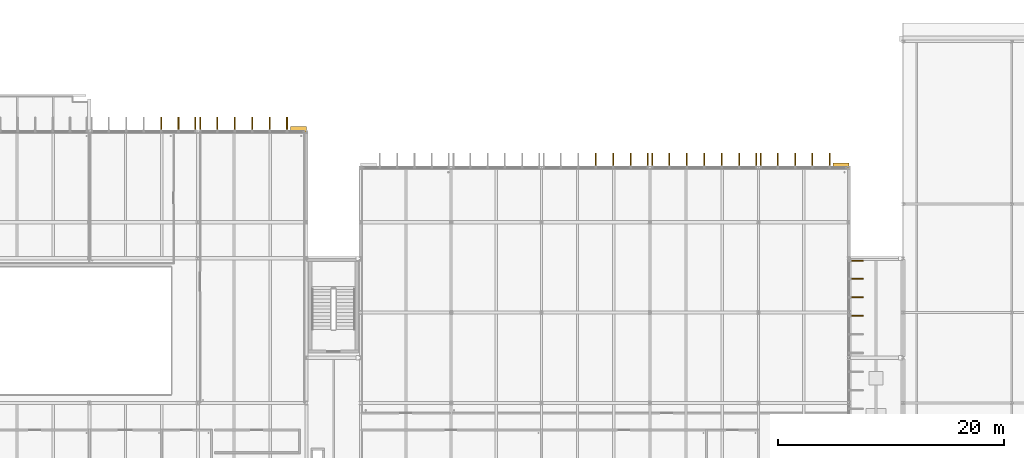
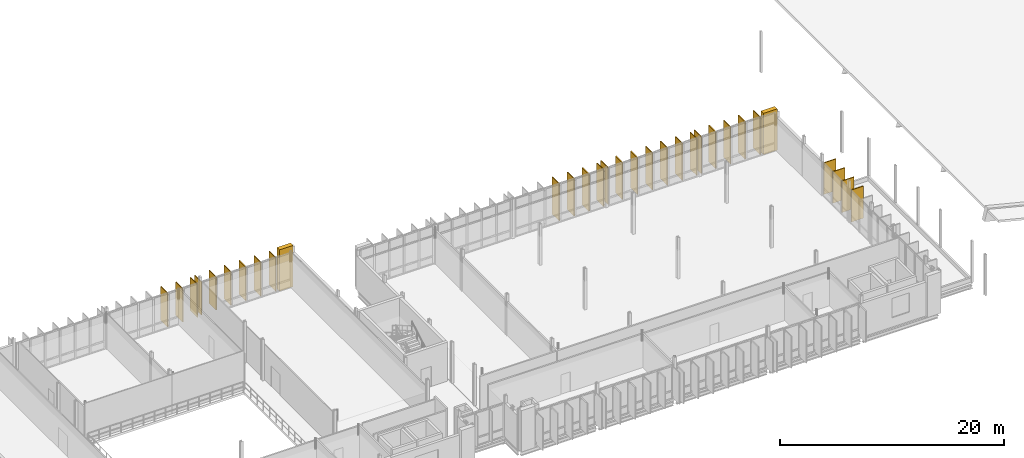
# One storey, part 90 of 93: 31 coverings.
"""IFC4 building model written with IfcOpenShell, lengths in metres."""

import ifcopenshell
import ifcopenshell.guid

model = None  # the IFC model being written
_history = None  # IfcOwnerHistory: only IFC2X3 demands one
_inside = {}  # id of a spatial element -> (the spatial element, [elements in it])
_under = {}  # id of a project, library or spatial element -> (it, [spatial elements below it])
_declared = {}  # id of a project -> (the project, [libraries it declares])
_typed = {}  # id of a type object -> (the type object, [elements of that type])
_made_of = {}  # id of a material, layer set ... -> (it, [elements and type objects made of it])


def new_model(schema):
    """Start an empty IFC model of exactly this schema.

    Asked for "IFC4X3", IfcOpenShell would pick the latest addendum, in which some entities
    have other attributes; the version numbers below select the first issue.
    IFC2X3 requires an IfcOwnerHistory on every rooted entity: one is made here for all.
    """
    global model, _history
    if schema == "IFC4X3":
        model = ifcopenshell.file(schema_version=(4, 3, 0, 0))
    else:
        model = ifcopenshell.file(schema=schema)
    _inside.clear()
    _under.clear()
    _declared.clear()
    _typed.clear()
    _made_of.clear()
    _history = None
    if model.schema == "IFC2X3":
        org = make("IfcOrganization", Name="unknown")
        user = make(
            "IfcPersonAndOrganization",
            ThePerson=make("IfcPerson", FamilyName="unknown"),
            TheOrganization=org,
        )
        app = make(
            "IfcApplication",
            ApplicationDeveloper=org,
            Version="unknown",
            ApplicationFullName="unknown",
            ApplicationIdentifier="unknown",
        )
        _history = make(
            "IfcOwnerHistory",
            OwningUser=user,
            OwningApplication=app,
            ChangeAction="ADDED",
            CreationDate=0,
        )
    return model


def make(cls, **values):
    """One entity of the class cls with the attributes given. An attribute that is None is left unset."""
    return model.create_entity(
        cls, **{name: value for name, value in values.items() if value is not None}
    )


def rooted(cls, **values):
    """An entity with a GlobalId (a new one), such as an element, a storey or a relation."""
    return make(cls, GlobalId=ifcopenshell.guid.new(), OwnerHistory=_history, **values)


def si_unit(unit_type, name, prefix=None):
    """IfcSIUnit, for example si_unit("LENGTHUNIT", "METRE", prefix="MILLI")."""
    return make("IfcSIUnit", UnitType=unit_type, Prefix=prefix, Name=name)


def assignment(units):
    """IfcUnitAssignment: the units of a project."""
    return None if units is None else make("IfcUnitAssignment", Units=units)


def point(xyz):
    """IfcCartesianPoint."""
    return None if xyz is None else make("IfcCartesianPoint", Coordinates=xyz)


def direction(xyz):
    """IfcDirection."""
    return None if xyz is None else make("IfcDirection", DirectionRatios=xyz)


def frame(location, z_axis=None, x_axis=None):
    """IfcAxis2Placement3D, a coordinate frame: its origin and axes. An axis left out is left unset."""
    return make(
        "IfcAxis2Placement3D",
        Location=point(location),
        Axis=direction(z_axis),
        RefDirection=direction(x_axis),
    )


def frame_2d(location, x_axis=None):
    """IfcAxis2Placement2D, a coordinate frame in the plane: its origin and x axis."""
    return make(
        "IfcAxis2Placement2D", Location=point(location), RefDirection=direction(x_axis)
    )


def origin():
    """The frame at (0, 0, 0) with its axes left unset."""
    return frame((0.0, 0.0, 0.0))


def origin_2d():
    """The frame at (0, 0) in the plane with its x axis left unset."""
    return frame_2d((0.0, 0.0))


def place(relative_to, where):
    """IfcLocalPlacement: puts the frame where relative to a parent placement (None: the world)."""
    return make(
        "IfcLocalPlacement", PlacementRelTo=relative_to, RelativePlacement=where
    )


def context(
    kind, dimensions, precision=None, world=None, true_north=None, identifier=None
):
    """IfcGeometricRepresentationContext, for example the 3D "Model" context."""
    return make(
        "IfcGeometricRepresentationContext",
        ContextIdentifier=identifier,
        ContextType=kind,
        CoordinateSpaceDimension=dimensions,
        Precision=precision,
        WorldCoordinateSystem=world,
        TrueNorth=true_north,
    )


def subcontext(parent, identifier, kind, view, scale=None):
    """IfcGeometricRepresentationSubContext, for example "Body" below "Model"."""
    return make(
        "IfcGeometricRepresentationSubContext",
        ContextIdentifier=identifier,
        ContextType=kind,
        ParentContext=parent,
        TargetScale=scale,
        TargetView=view,
    )


def project(units=None, contexts=None):
    """IfcProject with its units and contexts."""
    return rooted(
        "IfcProject",
        Name="project",
        RepresentationContexts=contexts,
        UnitsInContext=assignment(units),
    )


def spatial(cls, under=None, at=None, **own):
    """A site, building, storey or space (cls), placed at a placement, below another one or the project."""
    s = rooted(cls, ObjectPlacement=at, **own)
    if under is not None:
        _under.setdefault(under.id(), (under, []))[1].append(s)
    return s


def profile(cls, at=None, kind="AREA", **sizes):
    """A parametric profile (cls). Its sizes go by their IFC names, for example OverallWidth=200.0."""
    return make(cls, ProfileType=kind, Position=at, **sizes)


def rectangle(**sizes):
    """IfcRectangleProfileDef."""
    return profile("IfcRectangleProfileDef", **sizes)


def extrude(swept, where, along, depth):
    """IfcExtrudedAreaSolid: the profile swept, set in the frame where, extruded along a direction by depth."""
    return make(
        "IfcExtrudedAreaSolid",
        SweptArea=swept,
        Position=where,
        ExtrudedDirection=direction(along),
        Depth=depth,
    )


def shape(context_of_items, identifier, shape_type, items):
    """IfcShapeRepresentation: the items that make up one representation, for example the "Body"."""
    return make(
        "IfcShapeRepresentation",
        ContextOfItems=context_of_items,
        RepresentationIdentifier=identifier,
        RepresentationType=shape_type,
        Items=items,
    )


def material(Name=None, Category=None):
    """IfcMaterial."""
    return make("IfcMaterial", Name=Name, Category=Category)


def layer(
    of_material, thickness, ventilated=None, Name=None, Category=None, Priority=None
):
    """IfcMaterialLayer: one layer of a wall or slab, of a material (None: an air gap)."""
    return make(
        "IfcMaterialLayer",
        Material=of_material,
        LayerThickness=thickness,
        IsVentilated=ventilated,
        Name=Name,
        Category=Category,
        Priority=Priority,
    )


def layer_set(layers, Name=None):
    """IfcMaterialLayerSet."""
    return make("IfcMaterialLayerSet", MaterialLayers=layers, LayerSetName=Name)


def made_of(thing, what):
    """Note that an element or type object is made of a material, layer set ...; save() writes the relation."""
    if what is not None:
        _made_of.setdefault(what.id(), (what, []))[1].append(thing)
    return thing


def type_object(cls, material=None, **own):
    """A type object (cls), such as IfcWallType, which elements share."""
    return made_of(rooted(cls, **own), material)


def element(
    cls,
    number,
    at=None,
    inside=None,
    cuts=None,
    type_object=None,
    material=None,
    context=None,
    identifier="Body",
    shape_type=None,
    held_by="IfcProductDefinitionShape",
    body=None,
    shapes=None,
    **own,
):
    """One element of the class cls, such as IfcWall. Its Tag is "e" and its number.

    at: its placement. inside: the storey or other place that contains it. cuts: it is an
    opening in that element (IfcRelVoidsElement). A single representation is given by context,
    identifier, shape_type and body (its items); several are given by shapes. held_by: the class
    of the entity that holds the representations. save() writes the other relations.
    """
    e = rooted(cls, Tag="e%d" % number, ObjectPlacement=at, **own)
    if body is not None:
        shapes = [shape(context, identifier, shape_type, body)]
    if shapes is not None:
        e.Representation = make(held_by, Representations=shapes)
    if inside is not None:
        _inside.setdefault(inside.id(), (inside, []))[1].append(e)
    if cuts is not None:
        rooted(
            "IfcRelVoidsElement", RelatingBuildingElement=cuts, RelatedOpeningElement=e
        )
    if type_object is not None:
        _typed.setdefault(type_object.id(), (type_object, []))[1].append(e)
    return made_of(e, material)


def aggregate(whole, parts):
    """IfcRelAggregates: a whole, such as a stair, and the parts it consists of."""
    return rooted("IfcRelAggregates", RelatingObject=whole, RelatedObjects=parts)


def save(model, path):
    """Write the relations noted so far, then the file.

    IfcRelAggregates (storeys below a building ...), IfcRelContainedInSpatialStructure (elements
    in a storey), IfcRelDefinesByType, IfcRelAssociatesMaterial and IfcRelDeclares: one each for
    every whole, place, type object, material and project.
    """
    for whole, parts in _under.values():
        aggregate(whole, parts)
    for where, things in _inside.values():
        rooted(
            "IfcRelContainedInSpatialStructure",
            RelatedElements=things,
            RelatingStructure=where,
        )
    for kind, things in _typed.values():
        rooted("IfcRelDefinesByType", RelatedObjects=things, RelatingType=kind)
    for what, things in _made_of.values():
        rooted("IfcRelAssociatesMaterial", RelatedObjects=things, RelatingMaterial=what)
    for by, libraries in _declared.values():
        rooted("IfcRelDeclares", RelatingContext=by, RelatedDefinitions=libraries)
    model.write(path)


model = new_model("IFC4")

# Units and contexts
model_context = context("Model", 3, precision=1e-05, world=origin(), true_north=direction((0.0, 1.0)))
body_context = subcontext(model_context, "Body", "Model", "MODEL_VIEW")
ifc_project = project(units=[si_unit("LENGTHUNIT", "METRE"), si_unit("AREAUNIT", "SQUARE_METRE"), si_unit("VOLUMEUNIT", "CUBIC_METRE"), si_unit("PLANEANGLEUNIT", "RADIAN"), si_unit("MASSUNIT", "GRAM", prefix="KILO")], contexts=[model_context])

# Site, building, storey
site_placement = place(None, origin())
site = spatial("IfcSite", under=ifc_project, at=site_placement, CompositionType="ELEMENT")
building_placement = place(site_placement, origin())
building = spatial("IfcBuilding", under=site, at=building_placement, Name="Dunescarp Central Library", CompositionType="ELEMENT")
storey_placement = place(building_placement, frame((0.0, 0.0, 14.10009765625)))
storey = spatial("IfcBuildingStorey", under=building, at=storey_placement, Name="L03", CompositionType="ELEMENT", Elevation=14.10009765625)

# Coverings
ifc_material = material(Name="Glass-fibre reinforced concrete GRC", Category="concrete")
ifc_layer_1 = layer(ifc_material, 0.090087890625)
ifc_layer_set_1 = layer_set([ifc_layer_1], Name="Glass-fibre reinforced concrete GRC")
covering_type_1 = type_object("IfcCoveringType", Name="ARC-COV-FIN1250", PredefinedType="CLADDING", material=ifc_layer_set_1)
covering_1_placement = place(storey_placement, frame((63.94189453125, 37.4619140625, 0.080322265625), z_axis=(0.0, 0.0, 1.0), x_axis=(0.0, 1.0, 0.0)))
element("IfcCovering", 1, at=covering_1_placement, inside=storey, type_object=covering_type_1, Name="L03 parametric vertical facade fin FIN-L03-0455", PredefinedType="CLADDING", context=body_context, shape_type="SweptSolid", body=[
    extrude(rectangle(XDim=1.25, YDim=0.090087890625, at=origin_2d()), origin(), (0.0, 0.0, 1.0), 3.69091796875),
])
covering_2_placement = place(storey_placement, frame((65.48291015625, 37.4619140625, 0.080322265625), z_axis=(0.0, 0.0, 1.0), x_axis=(0.0, 1.0, 0.0)))
element("IfcCovering", 2, at=covering_2_placement, inside=storey, type_object=covering_type_1, Name="L03 parametric vertical facade fin FIN-L03-0456", PredefinedType="CLADDING", context=body_context, shape_type="SweptSolid", body=[
    extrude(rectangle(XDim=1.25, YDim=0.090087890625, at=origin_2d()), origin(), (0.0, 0.0, 1.0), 3.64111328125),
])
covering_3_placement = place(storey_placement, frame((66.985107421875, 37.4619140625, 0.079833984375), z_axis=(0.0, 0.0, 1.0), x_axis=(0.0, 1.0, 0.0)))
element("IfcCovering", 3, at=covering_3_placement, inside=storey, type_object=covering_type_1, Name="L03 parametric vertical facade fin FIN-L03-0457", PredefinedType="CLADDING", context=body_context, shape_type="SweptSolid", body=[
    extrude(rectangle(XDim=1.25, YDim=0.090087890625, at=origin_2d()), origin(), (0.0, 0.0, 1.0), 3.60791015625),
])
covering_4_placement = place(storey_placement, frame((67.4150390625, 37.4619140625, 0.16748046875), z_axis=(0.0, 0.0, 1.0), x_axis=(0.0, 1.0, 0.0)))
element("IfcCovering", 4, at=covering_4_placement, inside=storey, type_object=covering_type_1, Name="L03 parametric vertical facade fin FIN-L03-0458", PredefinedType="CLADDING", context=body_context, shape_type="SweptSolid", body=[
    extrude(rectangle(XDim=1.25, YDim=0.090087890625, at=origin_2d()), origin(), (0.0, 0.0, 1.0), 3.614990234375),
])
covering_5_placement = place(storey_placement, frame((68.9169921875, 37.4619140625, 0.179931640625), z_axis=(0.0, 0.0, 1.0), x_axis=(0.0, 1.0, 0.0)))
element("IfcCovering", 5, at=covering_5_placement, inside=storey, type_object=covering_type_1, Name="L03 parametric vertical facade fin FIN-L03-0459", PredefinedType="CLADDING", context=body_context, shape_type="SweptSolid", body=[
    extrude(rectangle(XDim=1.25, YDim=0.090087890625, at=origin_2d()), origin(), (0.0, 0.0, 1.0), 3.60205078125),
])
covering_6_placement = place(storey_placement, frame((70.4580078125, 37.4619140625, 0.1640625), z_axis=(0.0, 0.0, 1.0), x_axis=(0.0, 1.0, 0.0)))
element("IfcCovering", 6, at=covering_6_placement, inside=storey, type_object=covering_type_1, Name="L03 parametric vertical facade fin FIN-L03-0460", PredefinedType="CLADDING", context=body_context, shape_type="SweptSolid", body=[
    extrude(rectangle(XDim=1.25, YDim=0.090087890625, at=origin_2d()), origin(), (0.0, 0.0, 1.0), 3.617919921875),
])
covering_7_placement = place(storey_placement, frame((72.0, 37.4619140625, 0.12353515625), z_axis=(0.0, 0.0, 1.0), x_axis=(0.0, 1.0, 0.0)))
element("IfcCovering", 7, at=covering_7_placement, inside=storey, type_object=covering_type_1, Name="L03 parametric vertical facade fin FIN-L03-0461", PredefinedType="CLADDING", context=body_context, shape_type="SweptSolid", body=[
    extrude(rectangle(XDim=1.25, YDim=0.090087890625, at=origin_2d()), origin(), (0.0, 0.0, 1.0), 3.658935546875),
])
covering_8_placement = place(storey_placement, frame((73.5419921875, 37.4619140625, 0.080322265625), z_axis=(0.0, 0.0, 1.0), x_axis=(0.0, 1.0, 0.0)))
element("IfcCovering", 8, at=covering_8_placement, inside=storey, type_object=covering_type_1, Name="L03 parametric vertical facade fin FIN-L03-0462", PredefinedType="CLADDING", context=body_context, shape_type="SweptSolid", body=[
    extrude(rectangle(XDim=1.25, YDim=0.090087890625, at=origin_2d()), origin(), (0.0, 0.0, 1.0), 3.69091796875),
])
covering_9_placement = place(storey_placement, frame((75.0830078125, 37.4619140625, 0.080322265625), z_axis=(0.0, 0.0, 1.0), x_axis=(0.0, 1.0, 0.0)))
element("IfcCovering", 9, at=covering_9_placement, inside=storey, type_object=covering_type_1, Name="L03 parametric vertical facade fin FIN-L03-0463", PredefinedType="CLADDING", context=body_context, shape_type="SweptSolid", body=[
    extrude(rectangle(XDim=1.25, YDim=0.090087890625, at=origin_2d()), origin(), (0.0, 0.0, 1.0), 3.64111328125),
])
covering_10_placement = place(storey_placement, frame((102.39990234375, 34.261962890625, 0.12353515625), z_axis=(0.0, 0.0, 1.0), x_axis=(0.0, 1.0, 0.0)))
element("IfcCovering", 10, at=covering_10_placement, inside=storey, type_object=covering_type_1, Name="L03 parametric vertical facade fin FIN-L03-0703", PredefinedType="CLADDING", context=body_context, shape_type="SweptSolid", body=[
    extrude(rectangle(XDim=1.25, YDim=0.090087890625, at=origin_2d()), origin(), (0.0, 0.0, 1.0), 4.047119140625),
])
covering_11_placement = place(storey_placement, frame((103.94189453125, 34.261962890625, 0.080322265625), z_axis=(0.0, 0.0, 1.0), x_axis=(0.0, 1.0, 0.0)))
element("IfcCovering", 11, at=covering_11_placement, inside=storey, type_object=covering_type_1, Name="L03 parametric vertical facade fin FIN-L03-0704", PredefinedType="CLADDING", context=body_context, shape_type="SweptSolid", body=[
    extrude(rectangle(XDim=1.25, YDim=0.090087890625, at=origin_2d()), origin(), (0.0, 0.0, 1.0), 4.0791015625),
])
covering_12_placement = place(storey_placement, frame((105.48291015625, 34.261962890625, 0.07958984375), z_axis=(0.0, 0.0, 1.0), x_axis=(0.0, 1.0, 0.0)))
element("IfcCovering", 12, at=covering_12_placement, inside=storey, type_object=covering_type_1, Name="L03 parametric vertical facade fin FIN-L03-0705", PredefinedType="CLADDING", context=body_context, shape_type="SweptSolid", body=[
    extrude(rectangle(XDim=1.25, YDim=0.090087890625, at=origin_2d()), origin(), (0.0, 0.0, 1.0), 4.029052734375),
])
covering_13_placement = place(storey_placement, frame((106.985107421875, 34.261962890625, 0.079833984375), z_axis=(0.0, 0.0, 1.0), x_axis=(0.0, 1.0, 0.0)))
element("IfcCovering", 13, at=covering_13_placement, inside=storey, type_object=covering_type_1, Name="L03 parametric vertical facade fin FIN-L03-0706", PredefinedType="CLADDING", context=body_context, shape_type="SweptSolid", body=[
    extrude(rectangle(XDim=1.25, YDim=0.090087890625, at=origin_2d()), origin(), (0.0, 0.0, 1.0), 3.99609375),
])
covering_14_placement = place(storey_placement, frame((107.4150390625, 34.261962890625, 0.16650390625), z_axis=(0.0, 0.0, 1.0), x_axis=(0.0, 1.0, 0.0)))
element("IfcCovering", 14, at=covering_14_placement, inside=storey, type_object=covering_type_1, Name="L03 parametric vertical facade fin FIN-L03-0707", PredefinedType="CLADDING", context=body_context, shape_type="SweptSolid", body=[
    extrude(rectangle(XDim=1.25, YDim=0.090087890625, at=origin_2d()), origin(), (0.0, 0.0, 1.0), 4.0029296875),
])
covering_15_placement = place(storey_placement, frame((108.9169921875, 34.261962890625, 0.1796875), z_axis=(0.0, 0.0, 1.0), x_axis=(0.0, 1.0, 0.0)))
element("IfcCovering", 15, at=covering_15_placement, inside=storey, type_object=covering_type_1, Name="L03 parametric vertical facade fin FIN-L03-0708", PredefinedType="CLADDING", context=body_context, shape_type="SweptSolid", body=[
    extrude(rectangle(XDim=1.25, YDim=0.090087890625, at=origin_2d()), origin(), (0.0, 0.0, 1.0), 3.989990234375),
])
covering_16_placement = place(storey_placement, frame((110.4580078125, 34.261962890625, 0.1640625), z_axis=(0.0, 0.0, 1.0), x_axis=(0.0, 1.0, 0.0)))
element("IfcCovering", 16, at=covering_16_placement, inside=storey, type_object=covering_type_1, Name="L03 parametric vertical facade fin FIN-L03-0709", PredefinedType="CLADDING", context=body_context, shape_type="SweptSolid", body=[
    extrude(rectangle(XDim=1.25, YDim=0.090087890625, at=origin_2d()), origin(), (0.0, 0.0, 1.0), 4.006103515625),
])
covering_17_placement = place(storey_placement, frame((112.0, 34.261962890625, 0.12353515625), z_axis=(0.0, 0.0, 1.0), x_axis=(0.0, 1.0, 0.0)))
element("IfcCovering", 17, at=covering_17_placement, inside=storey, type_object=covering_type_1, Name="L03 parametric vertical facade fin FIN-L03-0710", PredefinedType="CLADDING", context=body_context, shape_type="SweptSolid", body=[
    extrude(rectangle(XDim=1.25, YDim=0.090087890625, at=origin_2d()), origin(), (0.0, 0.0, 1.0), 4.047119140625),
])
covering_18_placement = place(storey_placement, frame((113.5419921875, 34.261962890625, 0.080322265625), z_axis=(0.0, 0.0, 1.0), x_axis=(0.0, 1.0, 0.0)))
element("IfcCovering", 18, at=covering_18_placement, inside=storey, type_object=covering_type_1, Name="L03 parametric vertical facade fin FIN-L03-0711", PredefinedType="CLADDING", context=body_context, shape_type="SweptSolid", body=[
    extrude(rectangle(XDim=1.25, YDim=0.090087890625, at=origin_2d()), origin(), (0.0, 0.0, 1.0), 4.0791015625),
])
covering_19_placement = place(storey_placement, frame((115.0830078125, 34.261962890625, 0.07958984375), z_axis=(0.0, 0.0, 1.0), x_axis=(0.0, 1.0, 0.0)))
element("IfcCovering", 19, at=covering_19_placement, inside=storey, type_object=covering_type_1, Name="L03 parametric vertical facade fin FIN-L03-0712", PredefinedType="CLADDING", context=body_context, shape_type="SweptSolid", body=[
    extrude(rectangle(XDim=1.25, YDim=0.090087890625, at=origin_2d()), origin(), (0.0, 0.0, 1.0), 4.029052734375),
])
covering_20_placement = place(storey_placement, frame((116.5849609375, 34.261962890625, 0.079833984375), z_axis=(0.0, 0.0, 1.0), x_axis=(0.0, 1.0, 0.0)))
element("IfcCovering", 20, at=covering_20_placement, inside=storey, type_object=covering_type_1, Name="L03 parametric vertical facade fin FIN-L03-0713", PredefinedType="CLADDING", context=body_context, shape_type="SweptSolid", body=[
    extrude(rectangle(XDim=1.25, YDim=0.090087890625, at=origin_2d()), origin(), (0.0, 0.0, 1.0), 3.99609375),
])
covering_21_placement = place(storey_placement, frame((117.014892578125, 34.261962890625, 0.16650390625), z_axis=(0.0, 0.0, 1.0), x_axis=(0.0, 1.0, 0.0)))
element("IfcCovering", 21, at=covering_21_placement, inside=storey, type_object=covering_type_1, Name="L03 parametric vertical facade fin FIN-L03-0714", PredefinedType="CLADDING", context=body_context, shape_type="SweptSolid", body=[
    extrude(rectangle(XDim=1.25, YDim=0.090087890625, at=origin_2d()), origin(), (0.0, 0.0, 1.0), 4.0029296875),
])
covering_22_placement = place(storey_placement, frame((118.5048828125, 34.261962890625, 0.1796875), z_axis=(0.0, 0.0, 1.0), x_axis=(0.0, 1.0, 0.0)))
element("IfcCovering", 22, at=covering_22_placement, inside=storey, type_object=covering_type_1, Name="L03 parametric vertical facade fin FIN-L03-0715", PredefinedType="CLADDING", context=body_context, shape_type="SweptSolid", body=[
    extrude(rectangle(XDim=1.25, YDim=0.090087890625, at=origin_2d()), origin(), (0.0, 0.0, 1.0), 3.989990234375),
])
covering_23_placement = place(storey_placement, frame((120.034912109375, 34.261962890625, 0.1640625), z_axis=(0.0, 0.0, 1.0), x_axis=(0.0, 1.0, 0.0)))
element("IfcCovering", 23, at=covering_23_placement, inside=storey, type_object=covering_type_1, Name="L03 parametric vertical facade fin FIN-L03-0716", PredefinedType="CLADDING", context=body_context, shape_type="SweptSolid", body=[
    extrude(rectangle(XDim=1.25, YDim=0.090087890625, at=origin_2d()), origin(), (0.0, 0.0, 1.0), 4.006103515625),
])
covering_24_placement = place(storey_placement, frame((121.56494140625, 34.261962890625, 0.12353515625), z_axis=(0.0, 0.0, 1.0), x_axis=(0.0, 1.0, 0.0)))
element("IfcCovering", 24, at=covering_24_placement, inside=storey, type_object=covering_type_1, Name="L03 parametric vertical facade fin FIN-L03-0717", PredefinedType="CLADDING", context=body_context, shape_type="SweptSolid", body=[
    extrude(rectangle(XDim=1.25, YDim=0.090087890625, at=origin_2d()), origin(), (0.0, 0.0, 1.0), 4.047119140625),
])
covering_25_placement = place(storey_placement, frame((123.094970703125, 34.261962890625, 0.080322265625), z_axis=(0.0, 0.0, 1.0), x_axis=(0.0, 1.0, 0.0)))
element("IfcCovering", 25, at=covering_25_placement, inside=storey, type_object=covering_type_1, Name="L03 parametric vertical facade fin FIN-L03-0718", PredefinedType="CLADDING", context=body_context, shape_type="SweptSolid", body=[
    extrude(rectangle(XDim=1.25, YDim=0.090087890625, at=origin_2d()), origin(), (0.0, 0.0, 1.0), 4.0791015625),
])
covering_26_placement = place(storey_placement, frame((125.4619140625, 25.385009765625, 0.16650390625), z_axis=(0.0, 0.0, 1.0), x_axis=(1.0, 0.0, 0.0)))
element("IfcCovering", 26, at=covering_26_placement, inside=storey, type_object=covering_type_1, Name="L03 parametric vertical facade fin FIN-L03-0719", PredefinedType="CLADDING", context=body_context, shape_type="SweptSolid", body=[
    extrude(rectangle(XDim=1.25, YDim=0.090087890625, at=origin_2d()), origin(), (0.0, 0.0, 1.0), 3.43896484375),
])
covering_27_placement = place(storey_placement, frame((125.4619140625, 23.783935546875, 0.1796875), z_axis=(0.0, 0.0, 1.0), x_axis=(1.0, 0.0, 0.0)))
element("IfcCovering", 27, at=covering_27_placement, inside=storey, type_object=covering_type_1, Name="L03 parametric vertical facade fin FIN-L03-0720", PredefinedType="CLADDING", context=body_context, shape_type="SweptSolid", body=[
    extrude(rectangle(XDim=1.25, YDim=0.090087890625, at=origin_2d()), origin(), (0.0, 0.0, 1.0), 3.426025390625),
])
covering_28_placement = place(storey_placement, frame((125.4619140625, 22.14306640625, 0.1640625), z_axis=(0.0, 0.0, 1.0), x_axis=(1.0, 0.0, 0.0)))
element("IfcCovering", 28, at=covering_28_placement, inside=storey, type_object=covering_type_1, Name="L03 parametric vertical facade fin FIN-L03-0721", PredefinedType="CLADDING", context=body_context, shape_type="SweptSolid", body=[
    extrude(rectangle(XDim=1.25, YDim=0.090087890625, at=origin_2d()), origin(), (0.0, 0.0, 1.0), 3.44189453125),
])
covering_29_placement = place(storey_placement, frame((125.4619140625, 20.501953125, 0.12353515625), z_axis=(0.0, 0.0, 1.0), x_axis=(1.0, 0.0, 0.0)))
element("IfcCovering", 29, at=covering_29_placement, inside=storey, type_object=covering_type_1, Name="L03 parametric vertical facade fin FIN-L03-0722", PredefinedType="CLADDING", context=body_context, shape_type="SweptSolid", body=[
    extrude(rectangle(XDim=1.25, YDim=0.090087890625, at=origin_2d()), origin(), (0.0, 0.0, 1.0), 3.48291015625),
])
ifc_layer_2 = layer(ifc_material, 0.449951171875)
ifc_layer_set_2 = layer_set([ifc_layer_2], Name="Glass-fibre reinforced concrete GRC")
covering_type_2 = type_object("IfcCoveringType", Name="ARC-COV-PORTAL", PredefinedType="CLADDING", material=ifc_layer_set_2)
for number, where, z_axis, x_axis, name in (
    (30, (76.10009765625, 37.02001953125, 0.0), (0.0, 0.0, 1.0), (1.0, 0.0, 0.0), "V2 sculpted GRC portal pier PRT-BAND-V2-016"),
    (31, (124.10009765625, 33.820068359375, 0.0), (0.0, 0.0, 1.0), (1.0, 0.0, 0.0), "V3 sculpted GRC portal pier PRT-BAND-V3-042"),
):
    element("IfcCovering", number, at=place(storey_placement, frame(where, z_axis=z_axis, x_axis=x_axis)), inside=storey, type_object=covering_type_2, Name=name, PredefinedType="CLADDING", context=body_context, shape_type="SweptSolid", body=[
        extrude(rectangle(XDim=1.39990234375, YDim=0.449951171875, at=origin_2d()), origin(), (0.0, 0.0, 1.0), 4.5),
    ])

save(model, "model.ifc")
